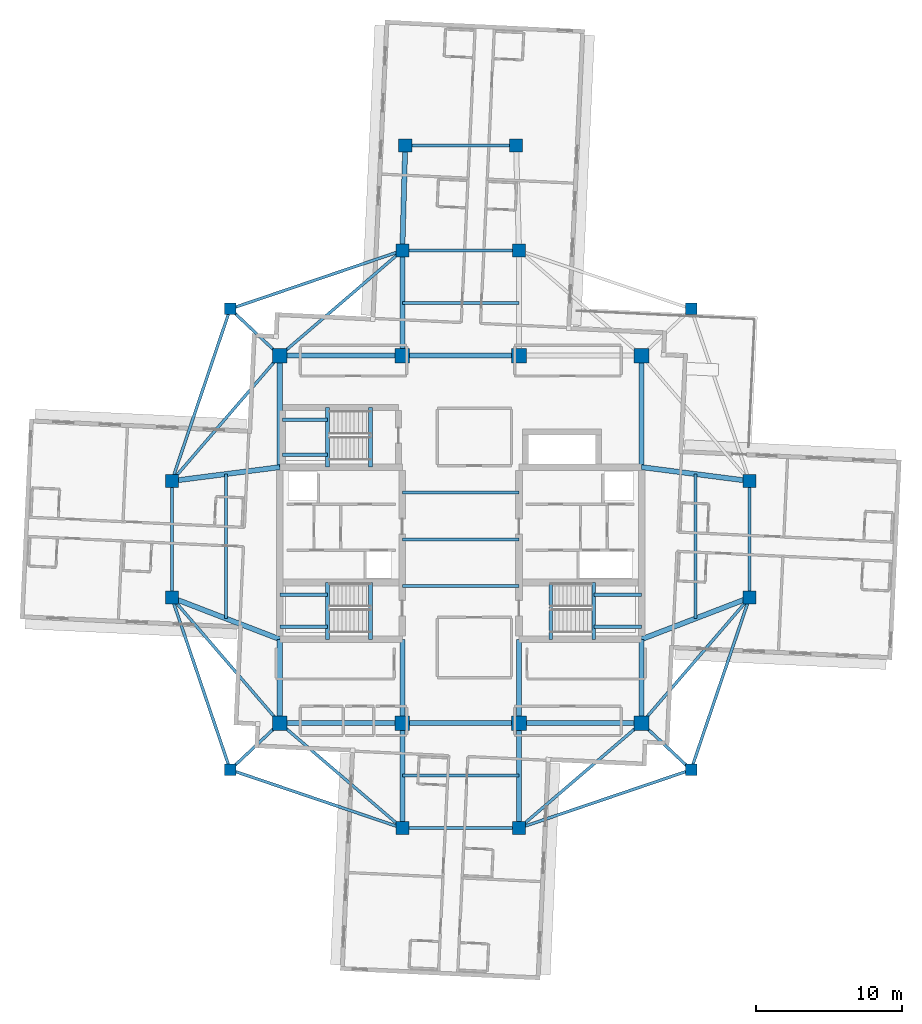
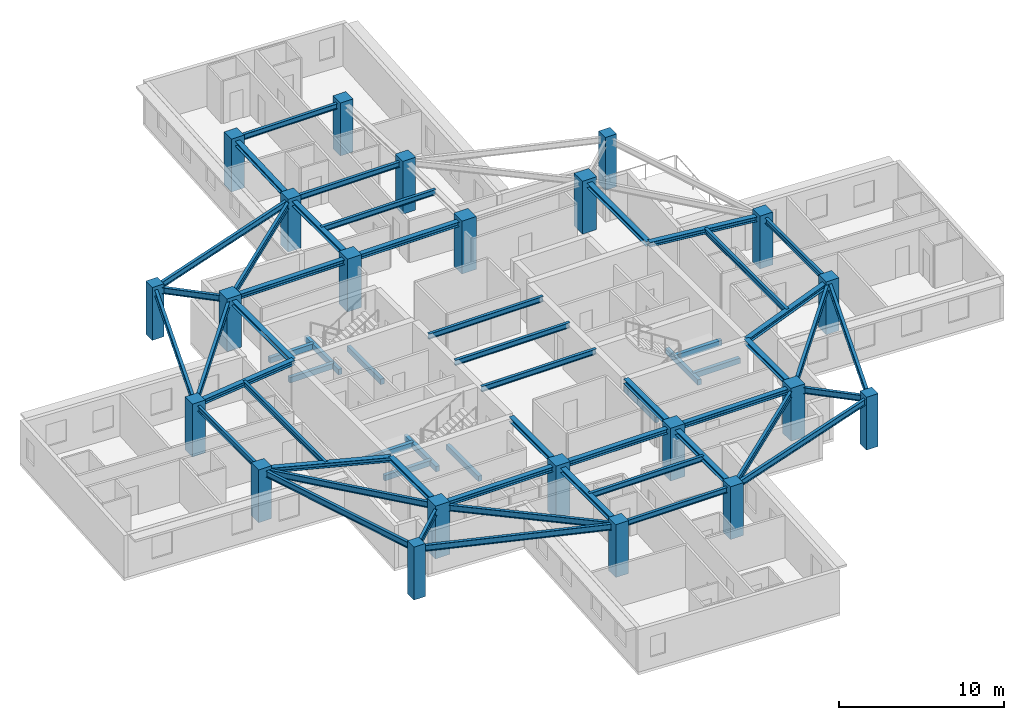
# One storey, part 1 of 13: 58 beams, 22 columns.
"""IFC4 building model written with IfcOpenShell, lengths in metres."""

import ifcopenshell
import ifcopenshell.guid

model = None  # the IFC model being written
_history = None  # IfcOwnerHistory: only IFC2X3 demands one
_inside = {}  # id of a spatial element -> (the spatial element, [elements in it])
_under = {}  # id of a project, library or spatial element -> (it, [spatial elements below it])
_declared = {}  # id of a project -> (the project, [libraries it declares])
_typed = {}  # id of a type object -> (the type object, [elements of that type])
_made_of = {}  # id of a material, layer set ... -> (it, [elements and type objects made of it])


def new_model(schema):
    """Start an empty IFC model of exactly this schema.

    Asked for "IFC4X3", IfcOpenShell would pick the latest addendum, in which some entities
    have other attributes; the version numbers below select the first issue.
    IFC2X3 requires an IfcOwnerHistory on every rooted entity: one is made here for all.
    """
    global model, _history
    if schema == "IFC4X3":
        model = ifcopenshell.file(schema_version=(4, 3, 0, 0))
    else:
        model = ifcopenshell.file(schema=schema)
    _inside.clear()
    _under.clear()
    _declared.clear()
    _typed.clear()
    _made_of.clear()
    _history = None
    if model.schema == "IFC2X3":
        org = make("IfcOrganization", Name="unknown")
        user = make(
            "IfcPersonAndOrganization",
            ThePerson=make("IfcPerson", FamilyName="unknown"),
            TheOrganization=org,
        )
        app = make(
            "IfcApplication",
            ApplicationDeveloper=org,
            Version="unknown",
            ApplicationFullName="unknown",
            ApplicationIdentifier="unknown",
        )
        _history = make(
            "IfcOwnerHistory",
            OwningUser=user,
            OwningApplication=app,
            ChangeAction="ADDED",
            CreationDate=0,
        )
    return model


def make(cls, **values):
    """One entity of the class cls with the attributes given. An attribute that is None is left unset."""
    return model.create_entity(
        cls, **{name: value for name, value in values.items() if value is not None}
    )


def rooted(cls, **values):
    """An entity with a GlobalId (a new one), such as an element, a storey or a relation."""
    return make(cls, GlobalId=ifcopenshell.guid.new(), OwnerHistory=_history, **values)


def si_unit(unit_type, name, prefix=None):
    """IfcSIUnit, for example si_unit("LENGTHUNIT", "METRE", prefix="MILLI")."""
    return make("IfcSIUnit", UnitType=unit_type, Prefix=prefix, Name=name)


def assignment(units):
    """IfcUnitAssignment: the units of a project."""
    return None if units is None else make("IfcUnitAssignment", Units=units)


def point(xyz):
    """IfcCartesianPoint."""
    return None if xyz is None else make("IfcCartesianPoint", Coordinates=xyz)


def direction(xyz):
    """IfcDirection."""
    return None if xyz is None else make("IfcDirection", DirectionRatios=xyz)


def frame(location, z_axis=None, x_axis=None):
    """IfcAxis2Placement3D, a coordinate frame: its origin and axes. An axis left out is left unset."""
    return make(
        "IfcAxis2Placement3D",
        Location=point(location),
        Axis=direction(z_axis),
        RefDirection=direction(x_axis),
    )


def frame_2d(location, x_axis=None):
    """IfcAxis2Placement2D, a coordinate frame in the plane: its origin and x axis."""
    return make(
        "IfcAxis2Placement2D", Location=point(location), RefDirection=direction(x_axis)
    )


def origin():
    """The frame at (0, 0, 0) with its axes left unset."""
    return frame((0.0, 0.0, 0.0))


def origin_2d():
    """The frame at (0, 0) in the plane with its x axis left unset."""
    return frame_2d((0.0, 0.0))


def place(relative_to, where):
    """IfcLocalPlacement: puts the frame where relative to a parent placement (None: the world)."""
    return make(
        "IfcLocalPlacement", PlacementRelTo=relative_to, RelativePlacement=where
    )


def context(
    kind, dimensions, precision=None, world=None, true_north=None, identifier=None
):
    """IfcGeometricRepresentationContext, for example the 3D "Model" context."""
    return make(
        "IfcGeometricRepresentationContext",
        ContextIdentifier=identifier,
        ContextType=kind,
        CoordinateSpaceDimension=dimensions,
        Precision=precision,
        WorldCoordinateSystem=world,
        TrueNorth=true_north,
    )


def subcontext(parent, identifier, kind, view, scale=None):
    """IfcGeometricRepresentationSubContext, for example "Body" below "Model"."""
    return make(
        "IfcGeometricRepresentationSubContext",
        ContextIdentifier=identifier,
        ContextType=kind,
        ParentContext=parent,
        TargetScale=scale,
        TargetView=view,
    )


def project(units=None, contexts=None):
    """IfcProject with its units and contexts."""
    return rooted(
        "IfcProject",
        Name="project",
        RepresentationContexts=contexts,
        UnitsInContext=assignment(units),
    )


def spatial(cls, under=None, at=None, **own):
    """A site, building, storey or space (cls), placed at a placement, below another one or the project."""
    s = rooted(cls, ObjectPlacement=at, **own)
    if under is not None:
        _under.setdefault(under.id(), (under, []))[1].append(s)
    return s


def profile(cls, at=None, kind="AREA", **sizes):
    """A parametric profile (cls). Its sizes go by their IFC names, for example OverallWidth=200.0."""
    return make(cls, ProfileType=kind, Position=at, **sizes)


def rectangle(**sizes):
    """IfcRectangleProfileDef."""
    return profile("IfcRectangleProfileDef", **sizes)


def i_section(**sizes):
    """IfcIShapeProfileDef."""
    return profile("IfcIShapeProfileDef", **sizes)


def extrude(swept, where, along, depth):
    """IfcExtrudedAreaSolid: the profile swept, set in the frame where, extruded along a direction by depth."""
    return make(
        "IfcExtrudedAreaSolid",
        SweptArea=swept,
        Position=where,
        ExtrudedDirection=direction(along),
        Depth=depth,
    )


def shape(context_of_items, identifier, shape_type, items):
    """IfcShapeRepresentation: the items that make up one representation, for example the "Body"."""
    return make(
        "IfcShapeRepresentation",
        ContextOfItems=context_of_items,
        RepresentationIdentifier=identifier,
        RepresentationType=shape_type,
        Items=items,
    )


def material(Name=None, Category=None):
    """IfcMaterial."""
    return make("IfcMaterial", Name=Name, Category=Category)


def material_profile(
    of_material, cross_section, Name=None, Category=None, Priority=None
):
    """IfcMaterialProfile: a cross section and its material."""
    return make(
        "IfcMaterialProfile",
        Name=Name,
        Material=of_material,
        Profile=cross_section,
        Priority=Priority,
        Category=Category,
    )


def profile_set(profiles, Name=None, composite=None):
    """IfcMaterialProfileSet."""
    return make(
        "IfcMaterialProfileSet",
        Name=Name,
        MaterialProfiles=profiles,
        CompositeProfile=composite,
    )


def made_of(thing, what):
    """Note that an element or type object is made of a material, layer set ...; save() writes the relation."""
    if what is not None:
        _made_of.setdefault(what.id(), (what, []))[1].append(thing)
    return thing


def type_object(cls, material=None, **own):
    """A type object (cls), such as IfcWallType, which elements share."""
    return made_of(rooted(cls, **own), material)


def element(
    cls,
    number,
    at=None,
    inside=None,
    cuts=None,
    type_object=None,
    material=None,
    context=None,
    identifier="Body",
    shape_type=None,
    held_by="IfcProductDefinitionShape",
    body=None,
    shapes=None,
    **own,
):
    """One element of the class cls, such as IfcWall. Its Tag is "e" and its number.

    at: its placement. inside: the storey or other place that contains it. cuts: it is an
    opening in that element (IfcRelVoidsElement). A single representation is given by context,
    identifier, shape_type and body (its items); several are given by shapes. held_by: the class
    of the entity that holds the representations. save() writes the other relations.
    """
    e = rooted(cls, Tag="e%d" % number, ObjectPlacement=at, **own)
    if body is not None:
        shapes = [shape(context, identifier, shape_type, body)]
    if shapes is not None:
        e.Representation = make(held_by, Representations=shapes)
    if inside is not None:
        _inside.setdefault(inside.id(), (inside, []))[1].append(e)
    if cuts is not None:
        rooted(
            "IfcRelVoidsElement", RelatingBuildingElement=cuts, RelatedOpeningElement=e
        )
    if type_object is not None:
        _typed.setdefault(type_object.id(), (type_object, []))[1].append(e)
    return made_of(e, material)


def aggregate(whole, parts):
    """IfcRelAggregates: a whole, such as a stair, and the parts it consists of."""
    return rooted("IfcRelAggregates", RelatingObject=whole, RelatedObjects=parts)


def save(model, path):
    """Write the relations noted so far, then the file.

    IfcRelAggregates (storeys below a building ...), IfcRelContainedInSpatialStructure (elements
    in a storey), IfcRelDefinesByType, IfcRelAssociatesMaterial and IfcRelDeclares: one each for
    every whole, place, type object, material and project.
    """
    for whole, parts in _under.values():
        aggregate(whole, parts)
    for where, things in _inside.values():
        rooted(
            "IfcRelContainedInSpatialStructure",
            RelatedElements=things,
            RelatingStructure=where,
        )
    for kind, things in _typed.values():
        rooted("IfcRelDefinesByType", RelatedObjects=things, RelatingType=kind)
    for what, things in _made_of.values():
        rooted("IfcRelAssociatesMaterial", RelatedObjects=things, RelatingMaterial=what)
    for by, libraries in _declared.values():
        rooted("IfcRelDeclares", RelatingContext=by, RelatedDefinitions=libraries)
    model.write(path)


model = new_model("IFC4")

# Units and contexts
model_context = context("Model", 3, precision=1e-05, world=origin(), true_north=direction((0.0, 1.0)))
body_context = subcontext(model_context, "Body", "Model", "MODEL_VIEW")
ifc_project = project(units=[si_unit("LENGTHUNIT", "METRE"), si_unit("AREAUNIT", "SQUARE_METRE"), si_unit("VOLUMEUNIT", "CUBIC_METRE"), si_unit("PLANEANGLEUNIT", "RADIAN"), si_unit("MASSUNIT", "GRAM", prefix="KILO")], contexts=[model_context])

# Site, building, storey
site_placement = place(None, origin())
site = spatial("IfcSite", under=ifc_project, at=site_placement, CompositionType="ELEMENT")
building_placement = place(site_placement, origin())
building = spatial("IfcBuilding", under=site, at=building_placement, Name="Qingluan Cross Belvedere", CompositionType="ELEMENT")
storey_placement = place(building_placement, frame((0.0, 0.0, 236.39990234375)))
storey = spatial("IfcBuildingStorey", under=building, at=storey_placement, Name="L59", CompositionType="ELEMENT", Elevation=236.39990234375)

# Columns
ifc_material_1 = material(Name="Concrete C50", Category="concrete")
ifc_material_profile_1 = material_profile(ifc_material_1, rectangle(XDim=1.0, YDim=1.0, at=origin_2d()), Name="RC1000x1000")
ifc_profile_set_1 = profile_set([ifc_material_profile_1], Name="Concrete C50")
column_type_1 = type_object("IfcColumnType", Name="Column_RC1000x1000", PredefinedType="COLUMN", material=ifc_profile_set_1)
for number, where, z_axis, x_axis, name in (
    (1, (-12.39990234375, -12.60009765625, 0.0), (0.0, 0.0, 1.0), (1.0, 0.0, 0.0), "Hub column L59-HC1"),
    (2, (12.39990234375, -12.60009765625, 0.0), (0.0, 0.0, 1.0), (1.0, 0.0, 0.0), "Hub column L59-HC2"),
    (3, (12.39990234375, 12.60009765625, 0.0), (0.0, 0.0, 1.0), (1.0, 0.0, 0.0), "Hub column L59-HC3"),
    (4, (-12.39990234375, 12.60009765625, 0.0), (0.0, 0.0, 1.0), (1.0, 0.0, 0.0), "Hub column L59-HC4"),
    (5, (-4.0, -12.60009765625, 0.0), (0.0, 0.0, 1.0), (1.0, 0.0, 0.0), "Hub column L59-HC5"),
    (6, (4.0, -12.60009765625, 0.0), (0.0, 0.0, 1.0), (1.0, 0.0, 0.0), "Hub column L59-HC6"),
    (7, (4.0, 12.60009765625, 0.0), (0.0, 0.0, 1.0), (1.0, 0.0, 0.0), "Hub column L59-HC7"),
    (8, (-4.0, 12.60009765625, 0.0), (0.0, 0.0, 1.0), (1.0, 0.0, 0.0), "Hub column L59-HC8"),
):
    element("IfcColumn", number, at=place(storey_placement, frame(where, z_axis=z_axis, x_axis=x_axis)), inside=storey, type_object=column_type_1, Name=name, PredefinedType="COLUMN", context=body_context, shape_type="SweptSolid", body=[
        extrude(rectangle(XDim=1.0, YDim=1.0, at=origin_2d()), origin(), (0.0, 0.0, 1.0), 3.900146484375),
    ])
ifc_material_2 = material(Name="Concrete C50", Category="concrete")
ifc_material_profile_2 = material_profile(ifc_material_2, rectangle(XDim=0.800048828125, YDim=0.800048828125, at=origin_2d()), Name="RC800x800")
ifc_profile_set_2 = profile_set([ifc_material_profile_2], Name="Concrete C50")
column_type_2 = type_object("IfcColumnType", Name="Column_RC800x800", PredefinedType="COLUMN", material=ifc_profile_set_2)
for number, where, z_axis, x_axis, name in (
    (9, (15.800048828125, 15.800048828125, 0.0), (0.0, 0.0, 1.0), (1.0, 0.0, 0.0), "Corner column L59-RNE"),
    (10, (-15.800048828125, 15.800048828125, 0.0), (0.0, 0.0, 1.0), (1.0, 0.0, 0.0), "Corner column L59-RNW"),
    (11, (-15.800048828125, -15.800048828125, 0.0), (0.0, 0.0, 1.0), (1.0, 0.0, 0.0), "Corner column L59-RSW"),
    (12, (15.800048828125, -15.800048828125, 0.0), (0.0, 0.0, 1.0), (1.0, 0.0, 0.0), "Corner column L59-RSE"),
):
    element("IfcColumn", number, at=place(storey_placement, frame(where, z_axis=z_axis, x_axis=x_axis)), inside=storey, type_object=column_type_2, Name=name, PredefinedType="COLUMN", context=body_context, shape_type="SweptSolid", body=[
        extrude(rectangle(XDim=0.800048828125, YDim=0.800048828125, at=origin_2d()), origin(), (0.0, 0.0, 1.0), 3.900146484375),
    ])
ifc_material_3 = material(Name="Concrete C50", Category="concrete")
ifc_material_profile_3 = material_profile(ifc_material_3, rectangle(XDim=0.89990234375, YDim=0.89990234375, at=origin_2d()), Name="RC900x900")
ifc_profile_set_3 = profile_set([ifc_material_profile_3], Name="Concrete C50")
column_type_3 = type_object("IfcColumnType", Name="Column_RC900x900", PredefinedType="COLUMN", material=ifc_profile_set_3)
for number, where, z_axis, x_axis, name in (
    (13, (19.800048828125, -4.0, 0.0), (0.0, 0.0, 1.0), (1.0, 0.0, 0.0), "Arm column L59-EIA"),
    (14, (19.800048828125, 4.0, 0.0), (0.0, 0.0, 1.0), (1.0, 0.0, 0.0), "Arm column L59-EIB"),
    (15, (-19.800048828125, -4.0, 0.0), (0.0, 0.0, 1.0), (1.0, 0.0, 0.0), "Arm column L59-WIA"),
    (16, (-19.800048828125, 4.0, 0.0), (0.0, 0.0, 1.0), (1.0, 0.0, 0.0), "Arm column L59-WIB"),
    (17, (-4.0, -19.800048828125, 0.0), (0.0, 0.0, 1.0), (1.0, 0.0, 0.0), "Arm column L59-SIA"),
    (18, (4.0, -19.800048828125, 0.0), (0.0, 0.0, 1.0), (1.0, 0.0, 0.0), "Arm column L59-SIB"),
    (19, (-4.0, 19.800048828125, 0.0), (0.0, 0.0, 1.0), (1.0, 0.0, 0.0), "Arm column L59-NIA"),
    (20, (4.0, 19.800048828125, 0.0), (0.0, 0.0, 1.0), (1.0, 0.0, 0.0), "Arm column L59-NIB"),
    (21, (-3.800048828125, 27.0, 0.0), (0.0, 0.0, 1.0), (1.0, 0.0, 0.0), "Arm column L59-NOA"),
    (22, (3.800048828125, 27.0, 0.0), (0.0, 0.0, 1.0), (1.0, 0.0, 0.0), "Arm column L59-NOB"),
):
    element("IfcColumn", number, at=place(storey_placement, frame(where, z_axis=z_axis, x_axis=x_axis)), inside=storey, type_object=column_type_3, Name=name, PredefinedType="COLUMN", context=body_context, shape_type="SweptSolid", body=[
        extrude(rectangle(XDim=0.89990234375, YDim=0.89990234375, at=origin_2d()), origin(), (0.0, 0.0, 1.0), 3.900146484375),
    ])

# Beams
ifc_material_4 = material(Name="Concrete C45", Category="concrete")
ifc_material_profile_4 = material_profile(ifc_material_4, rectangle(XDim=0.25, YDim=0.39990234375, at=origin_2d()), Name="RC250x400")
ifc_profile_set_4 = profile_set([ifc_material_profile_4], Name="Concrete C45")
beam_type_1 = type_object("IfcBeamType", Name="RC_Lintel_RC250x400", PredefinedType="LINTEL", material=ifc_profile_set_4)
for number, where, z_axis, x_axis, name in (
    (23, (-6.179931640625, -6.85009765625, -0.199951171875), (0.0, 1.0, 0.0), (-1.0, 0.0, 0.0), "Stair ST1 landing beam L59"),
    (24, (6.179931640625, -6.85009765625, -0.199951171875), (0.0, 1.0, 0.0), (-1.0, 0.0, 0.0), "Stair ST2 landing beam L59"),
):
    element("IfcBeam", number, at=place(storey_placement, frame(where, z_axis=z_axis, x_axis=x_axis)), inside=storey, type_object=beam_type_1, Name=name, PredefinedType="LINTEL", context=body_context, shape_type="SweptSolid", body=[
        extrude(rectangle(XDim=0.25, YDim=0.39990234375, at=origin_2d()), origin(), (0.0, 0.0, 1.0), 3.89013671875),
    ])
beam_1_placement = place(storey_placement, frame((-6.179931640625, 4.949951171875, -0.199951171875), z_axis=(0.0, 1.0, 0.0), x_axis=(-1.0, 0.0, 0.0)))
element("IfcBeam", 25, at=beam_1_placement, inside=storey, type_object=beam_type_1, Name="Stair ST3 landing beam L59", PredefinedType="LINTEL", context=body_context, shape_type="SweptSolid", body=[
    extrude(rectangle(XDim=0.25, YDim=0.39990234375, at=origin_2d()), origin(), (0.0, 0.0, 1.0), 4.090087890625),
])
beam_2_placement = place(storey_placement, frame((-9.1298828125, -6.85009765625, 1.550048828125), z_axis=(0.0, 1.0, 0.0), x_axis=(-1.0, 0.0, 0.0)))
element("IfcBeam", 26, at=beam_2_placement, inside=storey, type_object=beam_type_1, Name="Stair ST1 beam A L59", PredefinedType="LINTEL", context=body_context, shape_type="SweptSolid", body=[
    extrude(rectangle(XDim=0.25, YDim=0.39990234375, at=origin_2d()), origin(), (0.0, 0.0, 1.0), 3.89013671875),
])
for number, where, z_axis, x_axis, name in (
    (27, (-12.39990234375, -6.0, 1.550048828125), (1.0, 0.0, 0.0), (0.0, 1.0, 0.0), "Stair ST1 beam B L59"),
    (28, (-12.39990234375, -3.81005859375, 1.550048828125), (1.0, 0.0, 0.0), (0.0, 1.0, 0.0), "Stair ST1 beam C L59"),
):
    element("IfcBeam", number, at=place(storey_placement, frame(where, z_axis=z_axis, x_axis=x_axis)), inside=storey, type_object=beam_type_1, Name=name, PredefinedType="LINTEL", context=body_context, shape_type="SweptSolid", body=[
        extrude(rectangle(XDim=0.25, YDim=0.39990234375, at=origin_2d()), origin(), (0.0, 0.0, 1.0), 3.27001953125),
    ])
beam_3_placement = place(storey_placement, frame((9.1298828125, -6.85009765625, 1.550048828125), z_axis=(0.0, 1.0, 0.0), x_axis=(-1.0, 0.0, 0.0)))
element("IfcBeam", 29, at=beam_3_placement, inside=storey, type_object=beam_type_1, Name="Stair ST2 beam A L59", PredefinedType="LINTEL", context=body_context, shape_type="SweptSolid", body=[
    extrude(rectangle(XDim=0.25, YDim=0.39990234375, at=origin_2d()), origin(), (0.0, 0.0, 1.0), 3.89013671875),
])
for number, where, z_axis, x_axis, name in (
    (30, (12.39990234375, -6.0, 1.550048828125), (-1.0, 0.0, 0.0), (0.0, -1.0, 0.0), "Stair ST2 beam B L59"),
    (31, (12.39990234375, -3.81005859375, 1.550048828125), (-1.0, 0.0, 0.0), (0.0, -1.0, 0.0), "Stair ST2 beam C L59"),
):
    element("IfcBeam", number, at=place(storey_placement, frame(where, z_axis=z_axis, x_axis=x_axis)), inside=storey, type_object=beam_type_1, Name=name, PredefinedType="LINTEL", context=body_context, shape_type="SweptSolid", body=[
        extrude(rectangle(XDim=0.25, YDim=0.39990234375, at=origin_2d()), origin(), (0.0, 0.0, 1.0), 3.27001953125),
    ])
beam_4_placement = place(storey_placement, frame((-9.1298828125, 4.949951171875, 1.550048828125), z_axis=(0.0, 1.0, 0.0), x_axis=(-1.0, 0.0, 0.0)))
element("IfcBeam", 32, at=beam_4_placement, inside=storey, type_object=beam_type_1, Name="Stair ST3 beam A L59", PredefinedType="LINTEL", context=body_context, shape_type="SweptSolid", body=[
    extrude(rectangle(XDim=0.25, YDim=0.39990234375, at=origin_2d()), origin(), (0.0, 0.0, 1.0), 4.090087890625),
])
for number, where, z_axis, x_axis, name in (
    (33, (-12.219970703125, 5.800048828125, 1.550048828125), (1.0, 0.0, 0.0), (0.0, 1.0, 0.0), "Stair ST3 beam B L59"),
    (34, (-12.219970703125, 8.18994140625, 1.550048828125), (1.0, 0.0, 0.0), (0.0, 1.0, 0.0), "Stair ST3 beam C L59"),
):
    element("IfcBeam", number, at=place(storey_placement, frame(where, z_axis=z_axis, x_axis=x_axis)), inside=storey, type_object=beam_type_1, Name=name, PredefinedType="LINTEL", context=body_context, shape_type="SweptSolid", body=[
        extrude(rectangle(XDim=0.25, YDim=0.39990234375, at=origin_2d()), origin(), (0.0, 0.0, 1.0), 3.090087890625),
    ])
ifc_material_5 = material(Name="Steel Q420GJB", Category="steel")
ifc_material_profile_5 = material_profile(ifc_material_5, i_section(OverallWidth=0.199951171875, OverallDepth=0.39990234375, WebThickness=0.008056640625, FlangeThickness=0.012939453125, FilletRadius=0.012939453125, at=origin_2d()), Name="HN400x200x8x13")
ifc_profile_set_5 = profile_set([ifc_material_profile_5], Name="Steel Q420GJB")
beam_type_2 = type_object("IfcBeamType", Name="Steel_Beam_HN400x200x8x13", PredefinedType="JOIST", material=ifc_profile_set_5)
for number, where, z_axis, x_axis, name in (
    (35, (-4.0, -3.199951171875, 3.4501953125), (1.0, 0.0, 0.0), (0.0, 1.0, 0.0), "Hall beam L59-CH1"),
    (36, (-4.0, 0.0, 3.4501953125), (1.0, 0.0, 0.0), (0.0, 1.0, 0.0), "Hall beam L59-CH2"),
    (37, (-4.0, 3.199951171875, 3.4501953125), (1.0, 0.0, 0.0), (0.0, 1.0, 0.0), "Hall beam L59-CH3"),
    (38, (19.800048828125, -4.0, 3.4501953125), (0.0, 1.0, 0.0), (-1.0, 0.0, 0.0), "Arm E tie L59"),
):
    element("IfcBeam", number, at=place(storey_placement, frame(where, z_axis=z_axis, x_axis=x_axis)), inside=storey, type_object=beam_type_2, Name=name, PredefinedType="JOIST", context=body_context, shape_type="SweptSolid", body=[
        extrude(i_section(OverallWidth=0.199951171875, OverallDepth=0.39990234375, WebThickness=0.008056640625, FlangeThickness=0.012939453125, FilletRadius=0.012939453125, at=origin_2d()), origin(), (0.0, 0.0, 1.0), 8.0),
    ])
beam_5_placement = place(storey_placement, frame((16.10009765625, -5.425048828125, 3.4501953125), z_axis=(0.0, 1.0, 0.0), x_axis=(-1.0, 0.0, 0.0)))
element("IfcBeam", 39, at=beam_5_placement, inside=storey, type_object=beam_type_2, Name="Arm E beam L59", PredefinedType="JOIST", context=body_context, shape_type="SweptSolid", body=[
    extrude(i_section(OverallWidth=0.199951171875, OverallDepth=0.39990234375, WebThickness=0.008056640625, FlangeThickness=0.012939453125, FilletRadius=0.012939453125, at=origin_2d()), origin(), (0.0, 0.0, 1.0), 9.900146484375),
])
beam_6_placement = place(storey_placement, frame((-19.800048828125, -4.0, 3.4501953125), z_axis=(0.0, 1.0, 0.0), x_axis=(-1.0, 0.0, 0.0)))
element("IfcBeam", 40, at=beam_6_placement, inside=storey, type_object=beam_type_2, Name="Arm W tie L59", PredefinedType="JOIST", context=body_context, shape_type="SweptSolid", body=[
    extrude(i_section(OverallWidth=0.199951171875, OverallDepth=0.39990234375, WebThickness=0.008056640625, FlangeThickness=0.012939453125, FilletRadius=0.012939453125, at=origin_2d()), origin(), (0.0, 0.0, 1.0), 8.0),
])
beam_7_placement = place(storey_placement, frame((-16.10009765625, -5.425048828125, 3.4501953125), z_axis=(0.0, 1.0, 0.0), x_axis=(-1.0, 0.0, 0.0)))
element("IfcBeam", 41, at=beam_7_placement, inside=storey, type_object=beam_type_2, Name="Arm W beam L59", PredefinedType="JOIST", context=body_context, shape_type="SweptSolid", body=[
    extrude(i_section(OverallWidth=0.199951171875, OverallDepth=0.39990234375, WebThickness=0.008056640625, FlangeThickness=0.012939453125, FilletRadius=0.012939453125, at=origin_2d()), origin(), (0.0, 0.0, 1.0), 9.900146484375),
])
for number, where, z_axis, x_axis, name in (
    (42, (-4.0, 19.800048828125, 3.4501953125), (1.0, 0.0, 0.0), (0.0, 1.0, 0.0), "Arm N tie L59"),
    (43, (-4.0, 16.199951171875, 3.4501953125), (1.0, 0.0, 0.0), (0.0, 1.0, 0.0), "Arm N beam L59"),
):
    element("IfcBeam", number, at=place(storey_placement, frame(where, z_axis=z_axis, x_axis=x_axis)), inside=storey, type_object=beam_type_2, Name=name, PredefinedType="JOIST", context=body_context, shape_type="SweptSolid", body=[
        extrude(i_section(OverallWidth=0.199951171875, OverallDepth=0.39990234375, WebThickness=0.008056640625, FlangeThickness=0.012939453125, FilletRadius=0.012939453125, at=origin_2d()), origin(), (0.0, 0.0, 1.0), 8.0),
    ])
beam_8_placement = place(storey_placement, frame((-3.800048828125, 27.0, 3.4501953125), z_axis=(1.0, 0.0, 0.0), x_axis=(0.0, 1.0, 0.0)))
element("IfcBeam", 44, at=beam_8_placement, inside=storey, type_object=beam_type_2, Name="Arm N tip transverse beam L59", PredefinedType="JOIST", context=body_context, shape_type="SweptSolid", body=[
    extrude(i_section(OverallWidth=0.199951171875, OverallDepth=0.39990234375, WebThickness=0.008056640625, FlangeThickness=0.012939453125, FilletRadius=0.012939453125, at=origin_2d()), origin(), (0.0, 0.0, 1.0), 7.60009765625),
])
for number, where, z_axis, x_axis, name in (
    (45, (-4.0, -19.800048828125, 3.4501953125), (1.0, 0.0, 0.0), (0.0, 1.0, 0.0), "Arm S tie L59"),
    (46, (-4.0, -16.199951171875, 3.4501953125), (1.0, 0.0, 0.0), (0.0, 1.0, 0.0), "Arm S beam L59"),
):
    element("IfcBeam", number, at=place(storey_placement, frame(where, z_axis=z_axis, x_axis=x_axis)), inside=storey, type_object=beam_type_2, Name=name, PredefinedType="JOIST", context=body_context, shape_type="SweptSolid", body=[
        extrude(i_section(OverallWidth=0.199951171875, OverallDepth=0.39990234375, WebThickness=0.008056640625, FlangeThickness=0.012939453125, FilletRadius=0.012939453125, at=origin_2d()), origin(), (0.0, 0.0, 1.0), 8.0),
    ])
ifc_material_6 = material(Name="Steel Q420GJB", Category="steel")
ifc_material_profile_6 = material_profile(ifc_material_6, i_section(OverallWidth=0.199951171875, OverallDepth=0.449951171875, WebThickness=0.009033203125, FlangeThickness=0.013916015625, FilletRadius=0.01611328125, at=origin_2d()), Name="HN450x200x9x14")
ifc_profile_set_6 = profile_set([ifc_material_profile_6], Name="Steel Q420GJB")
beam_type_3 = type_object("IfcBeamType", Name="Steel_Beam_HN450x200x9x14", PredefinedType="JOIST", material=ifc_profile_set_6)
beam_9_placement = place(storey_placement, frame((-12.39990234375, 12.60009765625, 3.425048828125), z_axis=(-0.728219948308, 0.685343495546, 0.0), x_axis=(-0.685343495546, -0.728219948308, 0.0)))
element("IfcBeam", 47, at=beam_9_placement, inside=storey, type_object=beam_type_3, Name="Corner beam 1 L59-RNW", PredefinedType="JOIST", context=body_context, shape_type="SweptSolid", body=[
    extrude(i_section(OverallWidth=0.199951171875, OverallDepth=0.449951171875, WebThickness=0.009033203125, FlangeThickness=0.013916015625, FilletRadius=0.01611328125, at=origin_2d()), origin(), (0.0, 0.0, 1.0), 4.669189453125),
])
for number, where, z_axis, x_axis, name in (
    (48, (-15.800048828125, 15.800048828125, 3.425048828125), (0.947066283324, 0.321038089628, 0.0), (-0.321038089628, 0.947066283324, 0.0), "Corner beam 2 L59-RNW"),
    (49, (-15.800048828125, 15.800048828125, 3.425048828125), (-0.321038089628, -0.947066283324, 0.0), (0.947066283324, -0.321038089628, 0.0), "Corner beam 3 L59-RNW"),
):
    element("IfcBeam", number, at=place(storey_placement, frame(where, z_axis=z_axis, x_axis=x_axis)), inside=storey, type_object=beam_type_3, Name=name, PredefinedType="JOIST", context=body_context, shape_type="SweptSolid", body=[
        extrude(i_section(OverallWidth=0.199951171875, OverallDepth=0.449951171875, WebThickness=0.009033203125, FlangeThickness=0.013916015625, FilletRadius=0.01611328125, at=origin_2d()), origin(), (0.0, 0.0, 1.0), 12.45947265625),
    ])
beam_10_placement = place(storey_placement, frame((-12.39990234375, 12.60009765625, 3.425048828125), z_axis=(-0.652245077546, -0.75800815221, 0.0), x_axis=(0.75800815221, -0.652245077546, 0.0)))
element("IfcBeam", 50, at=beam_10_placement, inside=storey, type_object=beam_type_3, Name="Corner beam 4 L59-RNW", PredefinedType="JOIST", context=body_context, shape_type="SweptSolid", body=[
    extrude(i_section(OverallWidth=0.199951171875, OverallDepth=0.449951171875, WebThickness=0.009033203125, FlangeThickness=0.013916015625, FilletRadius=0.01611328125, at=origin_2d()), origin(), (0.0, 0.0, 1.0), 11.345703125),
])
beam_11_placement = place(storey_placement, frame((-12.39990234375, 12.60009765625, 3.425048828125), z_axis=(0.759255044656, 0.650793190779, 0.0), x_axis=(-0.650793190779, 0.759255044656, 0.0)))
element("IfcBeam", 51, at=beam_11_placement, inside=storey, type_object=beam_type_3, Name="Corner beam 5 L59-RNW", PredefinedType="JOIST", context=body_context, shape_type="SweptSolid", body=[
    extrude(i_section(OverallWidth=0.199951171875, OverallDepth=0.449951171875, WebThickness=0.009033203125, FlangeThickness=0.013916015625, FilletRadius=0.01611328125, at=origin_2d()), origin(), (0.0, 0.0, 1.0), 11.063232421875),
])
beam_12_placement = place(storey_placement, frame((-12.39990234375, -12.60009765625, 3.425048828125), z_axis=(-0.728219948308, -0.685343495546, 0.0), x_axis=(0.685343495546, -0.728219948308, 0.0)))
element("IfcBeam", 52, at=beam_12_placement, inside=storey, type_object=beam_type_3, Name="Corner beam 1 L59-RSW", PredefinedType="JOIST", context=body_context, shape_type="SweptSolid", body=[
    extrude(i_section(OverallWidth=0.199951171875, OverallDepth=0.449951171875, WebThickness=0.009033203125, FlangeThickness=0.013916015625, FilletRadius=0.01611328125, at=origin_2d()), origin(), (0.0, 0.0, 1.0), 4.669189453125),
])
for number, where, z_axis, x_axis, name in (
    (53, (-15.800048828125, -15.800048828125, 3.425048828125), (0.947066283324, -0.321038089628, 0.0), (0.321038089628, 0.947066283324, 0.0), "Corner beam 2 L59-RSW"),
    (54, (-15.800048828125, -15.800048828125, 3.425048828125), (-0.321038089628, 0.947066283324, 0.0), (-0.947066283324, -0.321038089628, 0.0), "Corner beam 3 L59-RSW"),
):
    element("IfcBeam", number, at=place(storey_placement, frame(where, z_axis=z_axis, x_axis=x_axis)), inside=storey, type_object=beam_type_3, Name=name, PredefinedType="JOIST", context=body_context, shape_type="SweptSolid", body=[
        extrude(i_section(OverallWidth=0.199951171875, OverallDepth=0.449951171875, WebThickness=0.009033203125, FlangeThickness=0.013916015625, FilletRadius=0.01611328125, at=origin_2d()), origin(), (0.0, 0.0, 1.0), 12.45947265625),
    ])
beam_13_placement = place(storey_placement, frame((-12.39990234375, -12.60009765625, 3.425048828125), z_axis=(-0.652245077546, 0.75800815221, 0.0), x_axis=(-0.75800815221, -0.652245077546, 0.0)))
element("IfcBeam", 55, at=beam_13_placement, inside=storey, type_object=beam_type_3, Name="Corner beam 4 L59-RSW", PredefinedType="JOIST", context=body_context, shape_type="SweptSolid", body=[
    extrude(i_section(OverallWidth=0.199951171875, OverallDepth=0.449951171875, WebThickness=0.009033203125, FlangeThickness=0.013916015625, FilletRadius=0.01611328125, at=origin_2d()), origin(), (0.0, 0.0, 1.0), 11.345703125),
])
beam_14_placement = place(storey_placement, frame((-12.39990234375, -12.60009765625, 3.425048828125), z_axis=(0.759255044656, -0.650793190779, 0.0), x_axis=(0.650793190779, 0.759255044656, 0.0)))
element("IfcBeam", 56, at=beam_14_placement, inside=storey, type_object=beam_type_3, Name="Corner beam 5 L59-RSW", PredefinedType="JOIST", context=body_context, shape_type="SweptSolid", body=[
    extrude(i_section(OverallWidth=0.199951171875, OverallDepth=0.449951171875, WebThickness=0.009033203125, FlangeThickness=0.013916015625, FilletRadius=0.01611328125, at=origin_2d()), origin(), (0.0, 0.0, 1.0), 11.063232421875),
])
beam_15_placement = place(storey_placement, frame((12.39990234375, -12.60009765625, 3.425048828125), z_axis=(0.728219948308, -0.685343495546, 0.0), x_axis=(0.685343495546, 0.728219948308, 0.0)))
element("IfcBeam", 57, at=beam_15_placement, inside=storey, type_object=beam_type_3, Name="Corner beam 1 L59-RSE", PredefinedType="JOIST", context=body_context, shape_type="SweptSolid", body=[
    extrude(i_section(OverallWidth=0.199951171875, OverallDepth=0.449951171875, WebThickness=0.009033203125, FlangeThickness=0.013916015625, FilletRadius=0.01611328125, at=origin_2d()), origin(), (0.0, 0.0, 1.0), 4.669189453125),
])
for number, where, z_axis, x_axis, name in (
    (58, (15.800048828125, -15.800048828125, 3.425048828125), (-0.947066283324, -0.321038089628, 0.0), (0.321038089628, -0.947066283324, 0.0), "Corner beam 2 L59-RSE"),
    (59, (15.800048828125, -15.800048828125, 3.425048828125), (0.321038089628, 0.947066283324, 0.0), (-0.947066283324, 0.321038089628, 0.0), "Corner beam 3 L59-RSE"),
):
    element("IfcBeam", number, at=place(storey_placement, frame(where, z_axis=z_axis, x_axis=x_axis)), inside=storey, type_object=beam_type_3, Name=name, PredefinedType="JOIST", context=body_context, shape_type="SweptSolid", body=[
        extrude(i_section(OverallWidth=0.199951171875, OverallDepth=0.449951171875, WebThickness=0.009033203125, FlangeThickness=0.013916015625, FilletRadius=0.01611328125, at=origin_2d()), origin(), (0.0, 0.0, 1.0), 12.45947265625),
    ])
beam_16_placement = place(storey_placement, frame((12.39990234375, -12.60009765625, 3.425048828125), z_axis=(0.652245077546, 0.75800815221, 0.0), x_axis=(-0.75800815221, 0.652245077546, 0.0)))
element("IfcBeam", 60, at=beam_16_placement, inside=storey, type_object=beam_type_3, Name="Corner beam 4 L59-RSE", PredefinedType="JOIST", context=body_context, shape_type="SweptSolid", body=[
    extrude(i_section(OverallWidth=0.199951171875, OverallDepth=0.449951171875, WebThickness=0.009033203125, FlangeThickness=0.013916015625, FilletRadius=0.01611328125, at=origin_2d()), origin(), (0.0, 0.0, 1.0), 11.345703125),
])
beam_17_placement = place(storey_placement, frame((12.39990234375, -12.60009765625, 3.425048828125), z_axis=(-0.759255044656, -0.650793190779, 0.0), x_axis=(0.650793190779, -0.759255044656, 0.0)))
element("IfcBeam", 61, at=beam_17_placement, inside=storey, type_object=beam_type_3, Name="Corner beam 5 L59-RSE", PredefinedType="JOIST", context=body_context, shape_type="SweptSolid", body=[
    extrude(i_section(OverallWidth=0.199951171875, OverallDepth=0.449951171875, WebThickness=0.009033203125, FlangeThickness=0.013916015625, FilletRadius=0.01611328125, at=origin_2d()), origin(), (0.0, 0.0, 1.0), 11.063232421875),
])
ifc_material_7 = material(Name="Steel Q420GJB", Category="steel")
ifc_material_profile_7 = material_profile(ifc_material_7, i_section(OverallWidth=0.35009765625, OverallDepth=0.35009765625, WebThickness=0.011962890625, FlangeThickness=0.01904296875, FilletRadius=0.02001953125, at=origin_2d()), Name="HW350x350x12x19")
ifc_profile_set_7 = profile_set([ifc_material_profile_7], Name="Steel Q420GJB")
beam_type_4 = type_object("IfcBeamType", Name="Steel_Girder_HW350x350x12x19", PredefinedType="USERDEFINED", material=ifc_profile_set_7)
beam_18_placement = place(storey_placement, frame((-12.39990234375, -12.60009765625, 3.47509765625), z_axis=(1.0, 0.0, 0.0), x_axis=(0.0, 1.0, 0.0)))
element("IfcBeam", 62, at=beam_18_placement, inside=storey, type_object=beam_type_4, Name="Hub girder L59-HG-S1", ObjectType="GIRDER", PredefinedType="USERDEFINED", context=body_context, shape_type="SweptSolid", body=[
    extrude(i_section(OverallWidth=0.35009765625, OverallDepth=0.35009765625, WebThickness=0.011962890625, FlangeThickness=0.01904296875, FilletRadius=0.02001953125, at=origin_2d()), origin(), (0.0, 0.0, 1.0), 8.39990234375),
])
beam_19_placement = place(storey_placement, frame((-4.0, -12.60009765625, 3.47509765625), z_axis=(1.0, 0.0, 0.0), x_axis=(0.0, 1.0, 0.0)))
element("IfcBeam", 63, at=beam_19_placement, inside=storey, type_object=beam_type_4, Name="Hub girder L59-HG-S2", ObjectType="GIRDER", PredefinedType="USERDEFINED", context=body_context, shape_type="SweptSolid", body=[
    extrude(i_section(OverallWidth=0.35009765625, OverallDepth=0.35009765625, WebThickness=0.011962890625, FlangeThickness=0.01904296875, FilletRadius=0.02001953125, at=origin_2d()), origin(), (0.0, 0.0, 1.0), 8.0),
])
for number, where, z_axis, x_axis, name in (
    (64, (4.0, -12.60009765625, 3.47509765625), (1.0, 0.0, 0.0), (0.0, 1.0, 0.0), "Hub girder L59-HG-S3"),
    (65, (-12.39990234375, 12.60009765625, 3.47509765625), (1.0, 0.0, 0.0), (0.0, 1.0, 0.0), "Hub girder L59-HG-N1"),
):
    element("IfcBeam", number, at=place(storey_placement, frame(where, z_axis=z_axis, x_axis=x_axis)), inside=storey, type_object=beam_type_4, Name=name, ObjectType="GIRDER", PredefinedType="USERDEFINED", context=body_context, shape_type="SweptSolid", body=[
        extrude(i_section(OverallWidth=0.35009765625, OverallDepth=0.35009765625, WebThickness=0.011962890625, FlangeThickness=0.01904296875, FilletRadius=0.02001953125, at=origin_2d()), origin(), (0.0, 0.0, 1.0), 8.39990234375),
    ])
beam_20_placement = place(storey_placement, frame((-4.0, 12.60009765625, 3.47509765625), z_axis=(1.0, 0.0, 0.0), x_axis=(0.0, 1.0, 0.0)))
element("IfcBeam", 66, at=beam_20_placement, inside=storey, type_object=beam_type_4, Name="Hub girder L59-HG-N2", ObjectType="GIRDER", PredefinedType="USERDEFINED", context=body_context, shape_type="SweptSolid", body=[
    extrude(i_section(OverallWidth=0.35009765625, OverallDepth=0.35009765625, WebThickness=0.011962890625, FlangeThickness=0.01904296875, FilletRadius=0.02001953125, at=origin_2d()), origin(), (0.0, 0.0, 1.0), 8.0),
])
beam_21_placement = place(storey_placement, frame((-12.39990234375, -12.60009765625, 3.47509765625), z_axis=(0.0, 1.0, 0.0), x_axis=(-1.0, 0.0, 0.0)))
element("IfcBeam", 67, at=beam_21_placement, inside=storey, type_object=beam_type_4, Name="Hub girder L59-HG-W1", ObjectType="GIRDER", PredefinedType="USERDEFINED", context=body_context, shape_type="SweptSolid", body=[
    extrude(i_section(OverallWidth=0.35009765625, OverallDepth=0.35009765625, WebThickness=0.011962890625, FlangeThickness=0.01904296875, FilletRadius=0.02001953125, at=origin_2d()), origin(), (0.0, 0.0, 1.0), 5.75),
])
beam_22_placement = place(storey_placement, frame((-12.39990234375, 4.949951171875, 3.47509765625), z_axis=(0.0, 1.0, 0.0), x_axis=(-1.0, 0.0, 0.0)))
element("IfcBeam", 68, at=beam_22_placement, inside=storey, type_object=beam_type_4, Name="Hub girder L59-HG-W2", ObjectType="GIRDER", PredefinedType="USERDEFINED", context=body_context, shape_type="SweptSolid", body=[
    extrude(i_section(OverallWidth=0.35009765625, OverallDepth=0.35009765625, WebThickness=0.011962890625, FlangeThickness=0.01904296875, FilletRadius=0.02001953125, at=origin_2d()), origin(), (0.0, 0.0, 1.0), 7.650146484375),
])
beam_23_placement = place(storey_placement, frame((12.39990234375, -12.60009765625, 3.47509765625), z_axis=(0.0, 1.0, 0.0), x_axis=(-1.0, 0.0, 0.0)))
element("IfcBeam", 69, at=beam_23_placement, inside=storey, type_object=beam_type_4, Name="Hub girder L59-HG-E1", ObjectType="GIRDER", PredefinedType="USERDEFINED", context=body_context, shape_type="SweptSolid", body=[
    extrude(i_section(OverallWidth=0.35009765625, OverallDepth=0.35009765625, WebThickness=0.011962890625, FlangeThickness=0.01904296875, FilletRadius=0.02001953125, at=origin_2d()), origin(), (0.0, 0.0, 1.0), 5.75),
])
beam_24_placement = place(storey_placement, frame((12.39990234375, 4.949951171875, 3.47509765625), z_axis=(0.0, 1.0, 0.0), x_axis=(-1.0, 0.0, 0.0)))
element("IfcBeam", 70, at=beam_24_placement, inside=storey, type_object=beam_type_4, Name="Hub girder L59-HG-E2", ObjectType="GIRDER", PredefinedType="USERDEFINED", context=body_context, shape_type="SweptSolid", body=[
    extrude(i_section(OverallWidth=0.35009765625, OverallDepth=0.35009765625, WebThickness=0.011962890625, FlangeThickness=0.01904296875, FilletRadius=0.02001953125, at=origin_2d()), origin(), (0.0, 0.0, 1.0), 7.650146484375),
])
for number, where, z_axis, x_axis, name in (
    (71, (-4.0, -12.60009765625, 3.47509765625), (0.0, 1.0, 0.0), (-1.0, 0.0, 0.0), "Hub girder L59-HG-CW"),
    (72, (4.0, -12.60009765625, 3.47509765625), (0.0, 1.0, 0.0), (-1.0, 0.0, 0.0), "Hub girder L59-HG-CE"),
):
    element("IfcBeam", number, at=place(storey_placement, frame(where, z_axis=z_axis, x_axis=x_axis)), inside=storey, type_object=beam_type_4, Name=name, ObjectType="GIRDER", PredefinedType="USERDEFINED", context=body_context, shape_type="SweptSolid", body=[
        extrude(i_section(OverallWidth=0.35009765625, OverallDepth=0.35009765625, WebThickness=0.011962890625, FlangeThickness=0.01904296875, FilletRadius=0.02001953125, at=origin_2d()), origin(), (0.0, 0.0, 1.0), 5.75),
    ])
beam_25_placement = place(storey_placement, frame((12.39990234375, -6.85009765625, 3.47509765625), z_axis=(0.933181258889, 0.359406090735, 0.0), x_axis=(-0.359406090735, 0.933181258889, 0.0)))
element("IfcBeam", 73, at=beam_25_placement, inside=storey, type_object=beam_type_4, Name="Arm E radial girder A L59", ObjectType="GIRDER", PredefinedType="USERDEFINED", context=body_context, shape_type="SweptSolid", body=[
    extrude(i_section(OverallWidth=0.35009765625, OverallDepth=0.35009765625, WebThickness=0.011962890625, FlangeThickness=0.01904296875, FilletRadius=0.02001953125, at=origin_2d()), origin(), (0.0, 0.0, 1.0), 7.929931640625),
])
beam_26_placement = place(storey_placement, frame((12.39990234375, 4.949951171875, 3.47509765625), z_axis=(0.991861120628, -0.12732445714, 0.0), x_axis=(0.12732445714, 0.991861120628, 0.0)))
element("IfcBeam", 74, at=beam_26_placement, inside=storey, type_object=beam_type_4, Name="Arm E radial girder B L59", ObjectType="GIRDER", PredefinedType="USERDEFINED", context=body_context, shape_type="SweptSolid", body=[
    extrude(i_section(OverallWidth=0.35009765625, OverallDepth=0.35009765625, WebThickness=0.011962890625, FlangeThickness=0.01904296875, FilletRadius=0.02001953125, at=origin_2d()), origin(), (0.0, 0.0, 1.0), 7.4609375),
])
beam_27_placement = place(storey_placement, frame((-12.39990234375, -6.85009765625, 3.47509765625), z_axis=(-0.933181258889, 0.359406090735, 0.0), x_axis=(-0.359406090735, -0.933181258889, 0.0)))
element("IfcBeam", 75, at=beam_27_placement, inside=storey, type_object=beam_type_4, Name="Arm W radial girder A L59", ObjectType="GIRDER", PredefinedType="USERDEFINED", context=body_context, shape_type="SweptSolid", body=[
    extrude(i_section(OverallWidth=0.35009765625, OverallDepth=0.35009765625, WebThickness=0.011962890625, FlangeThickness=0.01904296875, FilletRadius=0.02001953125, at=origin_2d()), origin(), (0.0, 0.0, 1.0), 7.929931640625),
])
beam_28_placement = place(storey_placement, frame((-12.39990234375, 4.949951171875, 3.47509765625), z_axis=(-0.991861120628, -0.12732445714, 0.0), x_axis=(0.12732445714, -0.991861120628, 0.0)))
element("IfcBeam", 76, at=beam_28_placement, inside=storey, type_object=beam_type_4, Name="Arm W radial girder B L59", ObjectType="GIRDER", PredefinedType="USERDEFINED", context=body_context, shape_type="SweptSolid", body=[
    extrude(i_section(OverallWidth=0.35009765625, OverallDepth=0.35009765625, WebThickness=0.011962890625, FlangeThickness=0.01904296875, FilletRadius=0.02001953125, at=origin_2d()), origin(), (0.0, 0.0, 1.0), 7.4609375),
])
beam_29_placement = place(storey_placement, frame((-4.0, 12.60009765625, 3.47509765625), z_axis=(0.0, 1.0, 0.0), x_axis=(-1.0, 0.0, 0.0)))
element("IfcBeam", 77, at=beam_29_placement, inside=storey, type_object=beam_type_4, Name="Arm N radial girder A L59", ObjectType="GIRDER", PredefinedType="USERDEFINED", context=body_context, shape_type="SweptSolid", body=[
    extrude(i_section(OverallWidth=0.35009765625, OverallDepth=0.35009765625, WebThickness=0.011962890625, FlangeThickness=0.01904296875, FilletRadius=0.02001953125, at=origin_2d()), origin(), (0.0, 0.0, 1.0), 7.199951171875),
])
beam_30_placement = place(storey_placement, frame((-4.0, 19.800048828125, 3.47509765625), z_axis=(0.027760481514, 0.999614603568, 0.0), x_axis=(-0.999614603568, 0.027760481514, 0.0)))
element("IfcBeam", 78, at=beam_30_placement, inside=storey, type_object=beam_type_4, Name="Arm N outer radial girder A L59", ObjectType="GIRDER", PredefinedType="USERDEFINED", context=body_context, shape_type="SweptSolid", body=[
    extrude(i_section(OverallWidth=0.35009765625, OverallDepth=0.35009765625, WebThickness=0.011962890625, FlangeThickness=0.01904296875, FilletRadius=0.02001953125, at=origin_2d()), origin(), (0.0, 0.0, 1.0), 7.20263671875),
])
for number, where, z_axis, x_axis, name in (
    (79, (-4.0, -12.60009765625, 3.47509765625), (0.0, -1.0, 0.0), (1.0, 0.0, 0.0), "Arm S radial girder A L59"),
    (80, (4.0, -12.60009765625, 3.47509765625), (0.0, -1.0, 0.0), (1.0, 0.0, 0.0), "Arm S radial girder B L59"),
):
    element("IfcBeam", number, at=place(storey_placement, frame(where, z_axis=z_axis, x_axis=x_axis)), inside=storey, type_object=beam_type_4, Name=name, ObjectType="GIRDER", PredefinedType="USERDEFINED", context=body_context, shape_type="SweptSolid", body=[
        extrude(i_section(OverallWidth=0.35009765625, OverallDepth=0.35009765625, WebThickness=0.011962890625, FlangeThickness=0.01904296875, FilletRadius=0.02001953125, at=origin_2d()), origin(), (0.0, 0.0, 1.0), 7.199951171875),
    ])

save(model, "model.ifc")
